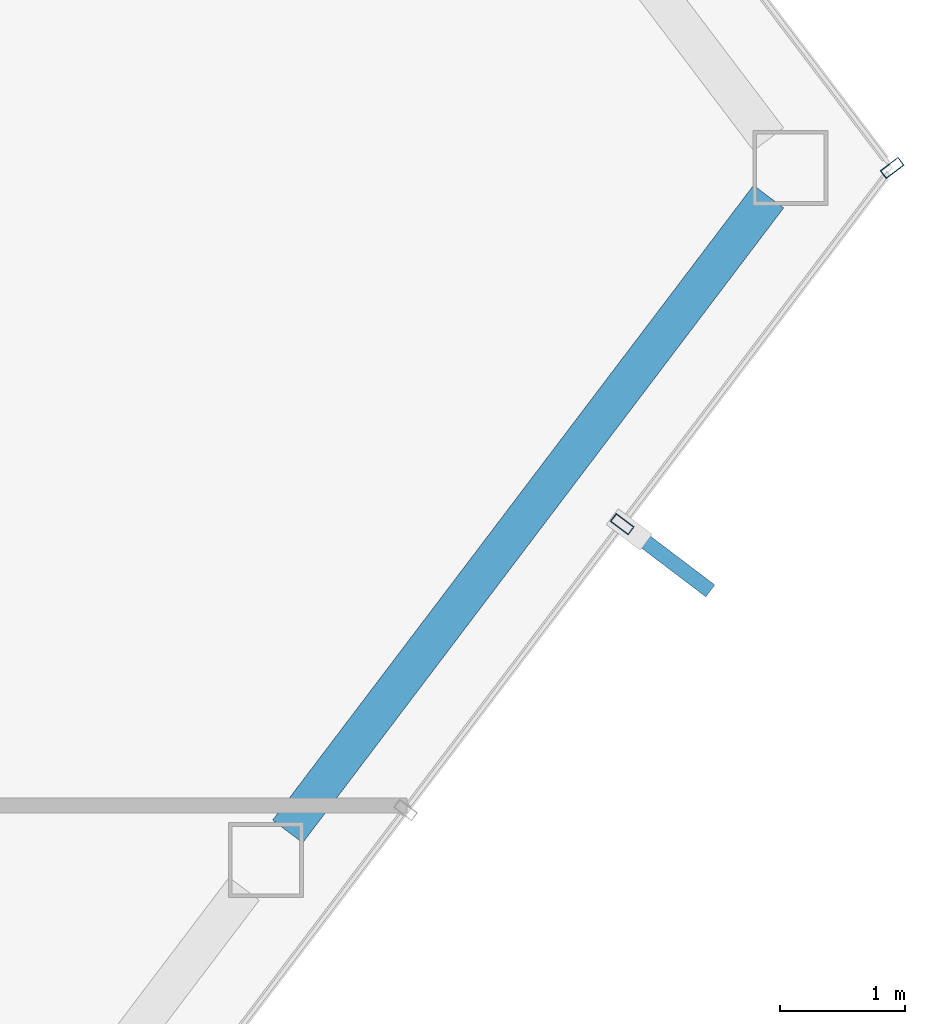
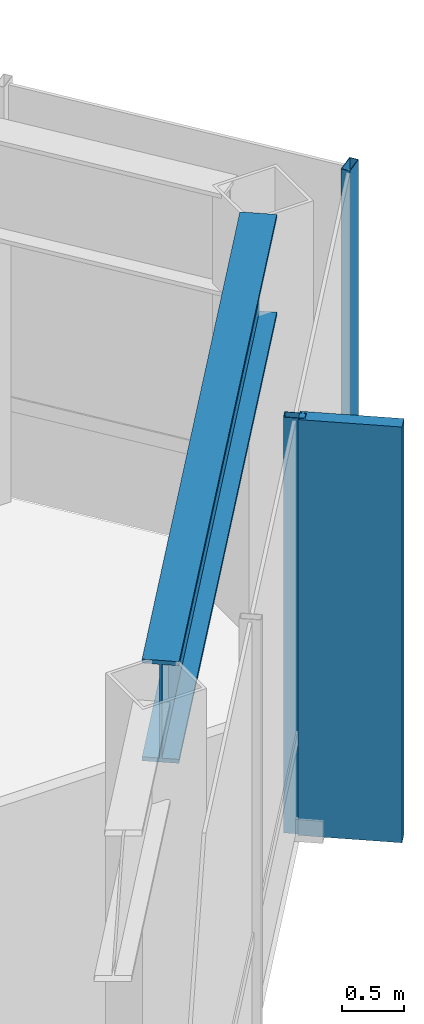
# One storey, part 15 of 23: 3 members, 1 beam, 2 elements without a shape of their own.
"""IFC4 building model written with IfcOpenShell, lengths in metres."""

from ifc_helpers import new_model, si_unit, direction, frame, origin, origin_2d, place, context, subcontext, project, spatial, rectangle, hollow_rectangle, i_section, extrude, material, layer, layer_set, material_profile, profile_set, type_object, element, aggregate, save


model = new_model("IFC4")

# Units and contexts
model_context = context("Model", 3, precision=1e-05, world=origin(), true_north=direction((0.0, 1.0)))
body_context = subcontext(model_context, "Body", "Model", "MODEL_VIEW")
ifc_project = project(units=[si_unit("LENGTHUNIT", "METRE"), si_unit("AREAUNIT", "SQUARE_METRE"), si_unit("VOLUMEUNIT", "CUBIC_METRE"), si_unit("PLANEANGLEUNIT", "RADIAN"), si_unit("MASSUNIT", "GRAM", prefix="KILO")], contexts=[model_context])

# Site, building, storey
site_placement = place(None, origin())
site = spatial("IfcSite", under=ifc_project, at=site_placement, CompositionType="ELEMENT")
building_placement = place(site_placement, origin())
building = spatial("IfcBuilding", under=site, at=building_placement, Name="Zarrinselat Tower", CompositionType="ELEMENT")
storey_placement = place(building_placement, frame((0.0, 0.0, 199.919921875)))
storey = spatial("IfcBuildingStorey", under=building, at=storey_placement, Name="L49", CompositionType="ELEMENT", Elevation=199.919921875)

# Beam
ifc_material_1 = material(Name="Steel S460M", Category="steel")
ifc_material_profile_1 = material_profile(ifc_material_1, i_section(OverallWidth=0.302001953125, OverallDepth=1.008056640625, WebThickness=0.02099609375, FlangeThickness=0.0400390625, at=origin_2d()), Name="HEM 1000")
ifc_profile_set_1 = profile_set([ifc_material_profile_1], Name="Steel S460M")
beam_type = type_object("IfcBeamType", Name="BM-HEM1000", PredefinedType="BEAM", material=ifc_profile_set_1)
beam_placement = place(storey_placement, frame((57.53173828125, 35.292724609375, 3.615966796875), z_axis=(0.603862845729, 0.797088240754, 0.0), x_axis=(-0.797088240754, 0.603862845729, 0.0)))
element("IfcBeam", 1, at=beam_placement, inside=storey, type_object=beam_type, Name="L49 Perimeter Spandrel Girder SP14", PredefinedType="BEAM", context=body_context, shape_type="SweptSolid", body=[
    extrude(i_section(OverallWidth=0.302001953125, OverallDepth=1.008056640625, WebThickness=0.02099609375, FlangeThickness=0.0400390625, at=origin_2d()), origin(), (0.0, 0.0, 1.0), 6.37939453125),
])

# Curtain wall, member
ifc_material_2 = material(Name="Extruded Aluminium Alloy EN AW-6063 T6", Category="aluminium")
ifc_layer = layer(ifc_material_2, 0.195068359375)
ifc_layer_set = layer_set([ifc_layer], Name="Extruded Aluminium Alloy EN AW-6063 T6")
curtain_wall_type = type_object("IfcCurtainWallType", Name="CWS-GDN", PredefinedType="NOTDEFINED", material=ifc_layer_set)
curtain_wall_1_placement = place(storey_placement, origin())
curtain_wall_1 = element("IfcCurtainWall", 2, at=curtain_wall_1_placement, inside=storey, type_object=curtain_wall_type, Name="L49 Unitised Curtain Wall CW-L49-E03", PredefinedType="NOTDEFINED")
ifc_material_3 = material(Name="Extruded Aluminium Alloy EN AW-6063 T6", Category="aluminium")
ifc_material_profile_2 = material_profile(ifc_material_3, hollow_rectangle(XDim=0.080078125, YDim=0.179931640625, WallThickness=0.0048828125, at=origin_2d()), Name="RHS 180x80x5")
ifc_profile_set_2 = profile_set([ifc_material_profile_2], Name="Extruded Aluminium Alloy EN AW-6063 T6")
member_type_1 = type_object("IfcMemberType", Name="MEM-CW-MUL", PredefinedType="MULLION", material=ifc_profile_set_2)
member_1_placement = place(storey_placement, frame((62.37353515625, 40.607421875, 0.0), z_axis=(0.0, 0.0, 1.0), x_axis=(0.603852236026, -0.797096278405, 0.0)))
member_1 = element("IfcMember", 3, at=member_1_placement, type_object=member_type_1, Name="CW-L49-E03 Mullion 3", PredefinedType="MULLION", context=body_context, shape_type="SweptSolid", body=[
    extrude(hollow_rectangle(XDim=0.080078125, YDim=0.179931640625, WallThickness=0.0048828125, at=origin_2d()), origin(), (0.0, 0.0, 1.0), 4.1201171875),
])
aggregate(curtain_wall_1, [member_1])

# Curtain wall, members
curtain_wall_2_placement = place(storey_placement, origin())
curtain_wall_2 = element("IfcCurtainWall", 4, at=curtain_wall_2_placement, inside=storey, type_object=curtain_wall_type, Name="L49 Unitised Curtain Wall CW-L49-E04", PredefinedType="NOTDEFINED")
member_2_placement = place(storey_placement, frame((60.2119140625, 37.75390625, 0.0), z_axis=(0.0, 0.0, 1.0), x_axis=(-0.603858158606, -0.79709179163, 0.0)))
member_2 = element("IfcMember", 5, at=member_2_placement, type_object=member_type_1, Name="CW-L49-E04 Mullion 1", PredefinedType="MULLION", context=body_context, shape_type="SweptSolid", body=[
    extrude(hollow_rectangle(XDim=0.080078125, YDim=0.179931640625, WallThickness=0.0048828125, at=origin_2d()), origin(), (0.0, 0.0, 1.0), 4.1201171875),
])
ifc_material_4 = material(Name="Honed Cream Travertine Stone", Category="masonry")
ifc_material_profile_3 = material_profile(ifc_material_4, rectangle(XDim=0.1201171875, YDim=0.85009765625, at=origin_2d()), Name="FIN 850x120")
ifc_profile_set_3 = profile_set([ifc_material_profile_3], Name="Honed Cream Travertine Stone")
member_type_2 = type_object("IfcMemberType", Name="MEM-STONE-FIN", PredefinedType="USERDEFINED", material=ifc_profile_set_3)
member_3_placement = place(storey_placement, frame((60.57861328125, 37.476318359375, 0.0), z_axis=(0.0, 0.0, 1.0), x_axis=(-0.603858158606, -0.79709179163, 0.0)))
member_3 = element("IfcMember", 6, at=member_3_placement, type_object=member_type_2, Name="L49 Stone Shading Fin CW-L49-E04-01", ObjectType="FIN", PredefinedType="USERDEFINED", context=body_context, shape_type="SweptSolid", body=[
    extrude(rectangle(XDim=0.1201171875, YDim=0.85009765625, at=origin_2d()), origin(), (0.0, 0.0, 1.0), 4.1201171875),
])
aggregate(curtain_wall_2, [member_2, member_3])

save(model, "model.ifc")
